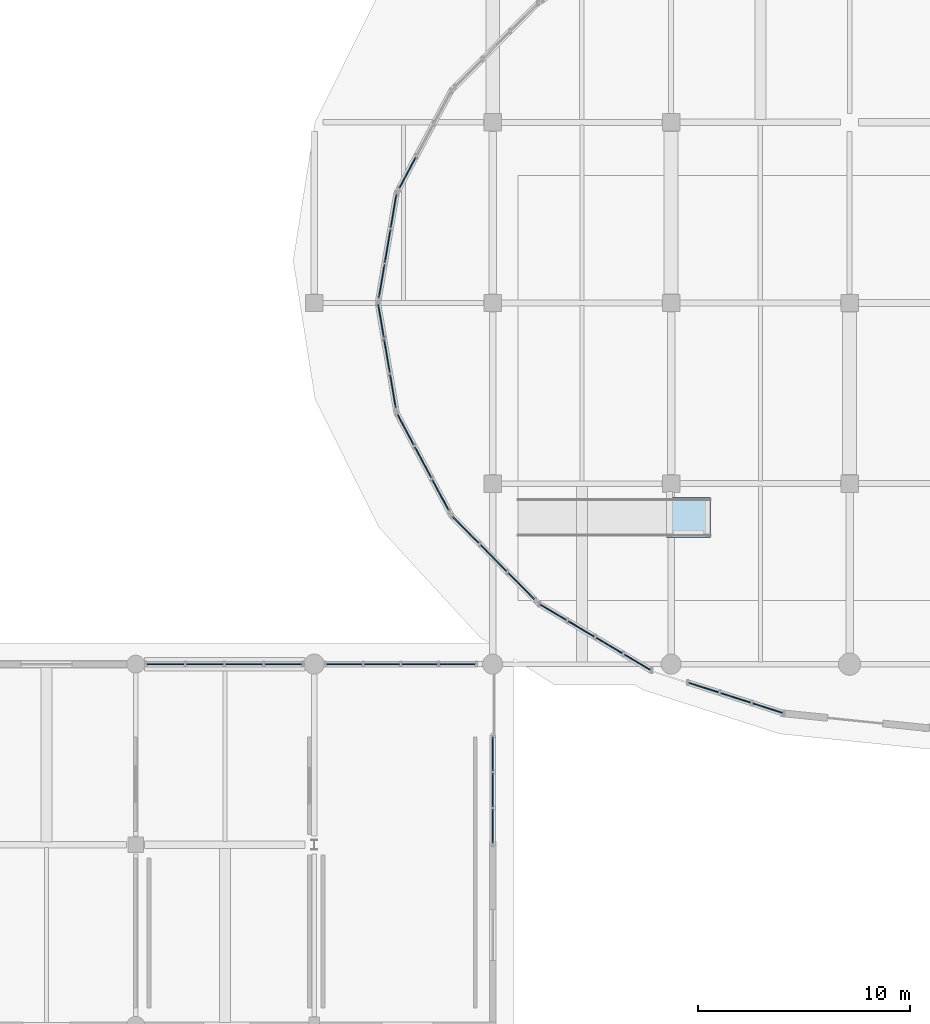
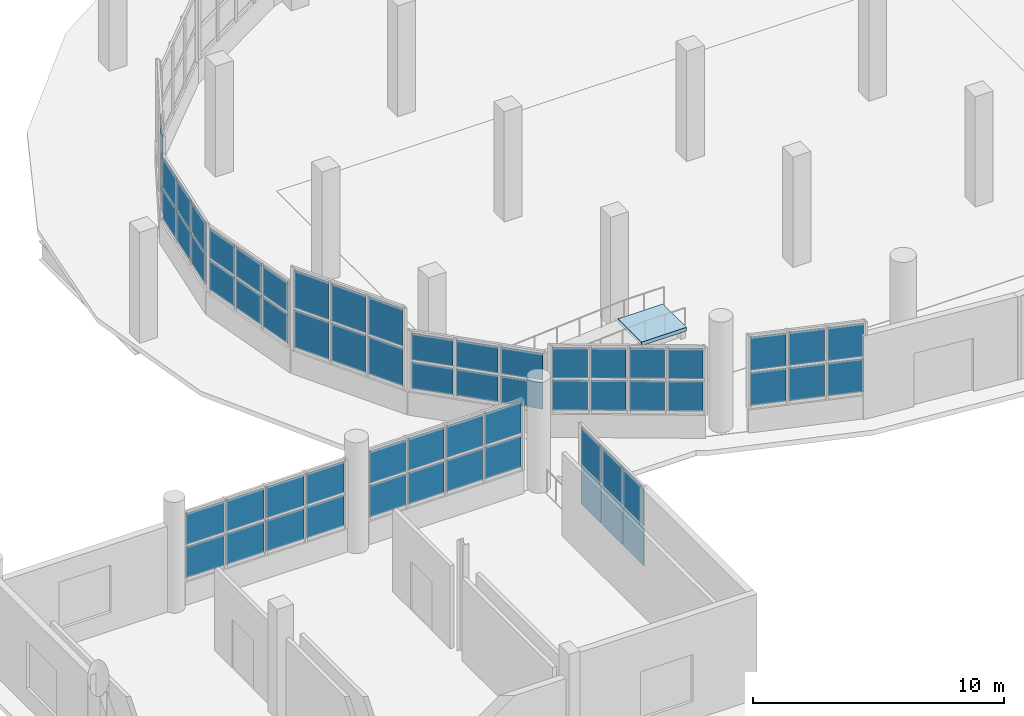
# One storey, part 73 of 107: 62 plates, 1 slab, 11 elements without a shape of their own.
"""IFC4 building model written with IfcOpenShell, lengths in metres."""

import ifcopenshell
import ifcopenshell.guid

model = None  # the IFC model being written
_history = None  # IfcOwnerHistory: only IFC2X3 demands one
_inside = {}  # id of a spatial element -> (the spatial element, [elements in it])
_under = {}  # id of a project, library or spatial element -> (it, [spatial elements below it])
_declared = {}  # id of a project -> (the project, [libraries it declares])
_typed = {}  # id of a type object -> (the type object, [elements of that type])
_made_of = {}  # id of a material, layer set ... -> (it, [elements and type objects made of it])


def new_model(schema):
    """Start an empty IFC model of exactly this schema.

    Asked for "IFC4X3", IfcOpenShell would pick the latest addendum, in which some entities
    have other attributes; the version numbers below select the first issue.
    IFC2X3 requires an IfcOwnerHistory on every rooted entity: one is made here for all.
    """
    global model, _history
    if schema == "IFC4X3":
        model = ifcopenshell.file(schema_version=(4, 3, 0, 0))
    else:
        model = ifcopenshell.file(schema=schema)
    _inside.clear()
    _under.clear()
    _declared.clear()
    _typed.clear()
    _made_of.clear()
    _history = None
    if model.schema == "IFC2X3":
        org = make("IfcOrganization", Name="unknown")
        user = make(
            "IfcPersonAndOrganization",
            ThePerson=make("IfcPerson", FamilyName="unknown"),
            TheOrganization=org,
        )
        app = make(
            "IfcApplication",
            ApplicationDeveloper=org,
            Version="unknown",
            ApplicationFullName="unknown",
            ApplicationIdentifier="unknown",
        )
        _history = make(
            "IfcOwnerHistory",
            OwningUser=user,
            OwningApplication=app,
            ChangeAction="ADDED",
            CreationDate=0,
        )
    return model


def make(cls, **values):
    """One entity of the class cls with the attributes given. An attribute that is None is left unset."""
    return model.create_entity(
        cls, **{name: value for name, value in values.items() if value is not None}
    )


def rooted(cls, **values):
    """An entity with a GlobalId (a new one), such as an element, a storey or a relation."""
    return make(cls, GlobalId=ifcopenshell.guid.new(), OwnerHistory=_history, **values)


def si_unit(unit_type, name, prefix=None):
    """IfcSIUnit, for example si_unit("LENGTHUNIT", "METRE", prefix="MILLI")."""
    return make("IfcSIUnit", UnitType=unit_type, Prefix=prefix, Name=name)


def assignment(units):
    """IfcUnitAssignment: the units of a project."""
    return None if units is None else make("IfcUnitAssignment", Units=units)


def point(xyz):
    """IfcCartesianPoint."""
    return None if xyz is None else make("IfcCartesianPoint", Coordinates=xyz)


def direction(xyz):
    """IfcDirection."""
    return None if xyz is None else make("IfcDirection", DirectionRatios=xyz)


def frame(location, z_axis=None, x_axis=None):
    """IfcAxis2Placement3D, a coordinate frame: its origin and axes. An axis left out is left unset."""
    return make(
        "IfcAxis2Placement3D",
        Location=point(location),
        Axis=direction(z_axis),
        RefDirection=direction(x_axis),
    )


def frame_2d(location, x_axis=None):
    """IfcAxis2Placement2D, a coordinate frame in the plane: its origin and x axis."""
    return make(
        "IfcAxis2Placement2D", Location=point(location), RefDirection=direction(x_axis)
    )


def origin():
    """The frame at (0, 0, 0) with its axes left unset."""
    return frame((0.0, 0.0, 0.0))


def origin_2d():
    """The frame at (0, 0) in the plane with its x axis left unset."""
    return frame_2d((0.0, 0.0))


def place(relative_to, where):
    """IfcLocalPlacement: puts the frame where relative to a parent placement (None: the world)."""
    return make(
        "IfcLocalPlacement", PlacementRelTo=relative_to, RelativePlacement=where
    )


def context(
    kind, dimensions, precision=None, world=None, true_north=None, identifier=None
):
    """IfcGeometricRepresentationContext, for example the 3D "Model" context."""
    return make(
        "IfcGeometricRepresentationContext",
        ContextIdentifier=identifier,
        ContextType=kind,
        CoordinateSpaceDimension=dimensions,
        Precision=precision,
        WorldCoordinateSystem=world,
        TrueNorth=true_north,
    )


def subcontext(parent, identifier, kind, view, scale=None):
    """IfcGeometricRepresentationSubContext, for example "Body" below "Model"."""
    return make(
        "IfcGeometricRepresentationSubContext",
        ContextIdentifier=identifier,
        ContextType=kind,
        ParentContext=parent,
        TargetScale=scale,
        TargetView=view,
    )


def project(units=None, contexts=None):
    """IfcProject with its units and contexts."""
    return rooted(
        "IfcProject",
        Name="project",
        RepresentationContexts=contexts,
        UnitsInContext=assignment(units),
    )


def spatial(cls, under=None, at=None, **own):
    """A site, building, storey or space (cls), placed at a placement, below another one or the project."""
    s = rooted(cls, ObjectPlacement=at, **own)
    if under is not None:
        _under.setdefault(under.id(), (under, []))[1].append(s)
    return s


def polyline(points):
    """IfcPolyline through the points."""
    return make("IfcPolyline", Points=[point(p) for p in points])


def profile(cls, at=None, kind="AREA", **sizes):
    """A parametric profile (cls). Its sizes go by their IFC names, for example OverallWidth=200.0."""
    return make(cls, ProfileType=kind, Position=at, **sizes)


def rectangle(**sizes):
    """IfcRectangleProfileDef."""
    return profile("IfcRectangleProfileDef", **sizes)


def outline(outer, holes=None, kind="AREA"):
    """IfcArbitraryClosedProfileDef: a profile drawn as a closed curve; with holes, ...WithVoids."""
    if holes is None:
        return make("IfcArbitraryClosedProfileDef", ProfileType=kind, OuterCurve=outer)
    return make(
        "IfcArbitraryProfileDefWithVoids",
        ProfileType=kind,
        OuterCurve=outer,
        InnerCurves=holes,
    )


def extrude(swept, where, along, depth):
    """IfcExtrudedAreaSolid: the profile swept, set in the frame where, extruded along a direction by depth."""
    return make(
        "IfcExtrudedAreaSolid",
        SweptArea=swept,
        Position=where,
        ExtrudedDirection=direction(along),
        Depth=depth,
    )


def shape(context_of_items, identifier, shape_type, items):
    """IfcShapeRepresentation: the items that make up one representation, for example the "Body"."""
    return make(
        "IfcShapeRepresentation",
        ContextOfItems=context_of_items,
        RepresentationIdentifier=identifier,
        RepresentationType=shape_type,
        Items=items,
    )


def material(Name=None, Category=None):
    """IfcMaterial."""
    return make("IfcMaterial", Name=Name, Category=Category)


def layer(
    of_material, thickness, ventilated=None, Name=None, Category=None, Priority=None
):
    """IfcMaterialLayer: one layer of a wall or slab, of a material (None: an air gap)."""
    return make(
        "IfcMaterialLayer",
        Material=of_material,
        LayerThickness=thickness,
        IsVentilated=ventilated,
        Name=Name,
        Category=Category,
        Priority=Priority,
    )


def layer_set(layers, Name=None):
    """IfcMaterialLayerSet."""
    return make("IfcMaterialLayerSet", MaterialLayers=layers, LayerSetName=Name)


def made_of(thing, what):
    """Note that an element or type object is made of a material, layer set ...; save() writes the relation."""
    if what is not None:
        _made_of.setdefault(what.id(), (what, []))[1].append(thing)
    return thing


def type_object(cls, material=None, **own):
    """A type object (cls), such as IfcWallType, which elements share."""
    return made_of(rooted(cls, **own), material)


def element(
    cls,
    number,
    at=None,
    inside=None,
    cuts=None,
    type_object=None,
    material=None,
    context=None,
    identifier="Body",
    shape_type=None,
    held_by="IfcProductDefinitionShape",
    body=None,
    shapes=None,
    **own,
):
    """One element of the class cls, such as IfcWall. Its Tag is "e" and its number.

    at: its placement. inside: the storey or other place that contains it. cuts: it is an
    opening in that element (IfcRelVoidsElement). A single representation is given by context,
    identifier, shape_type and body (its items); several are given by shapes. held_by: the class
    of the entity that holds the representations. save() writes the other relations.
    """
    e = rooted(cls, Tag="e%d" % number, ObjectPlacement=at, **own)
    if body is not None:
        shapes = [shape(context, identifier, shape_type, body)]
    if shapes is not None:
        e.Representation = make(held_by, Representations=shapes)
    if inside is not None:
        _inside.setdefault(inside.id(), (inside, []))[1].append(e)
    if cuts is not None:
        rooted(
            "IfcRelVoidsElement", RelatingBuildingElement=cuts, RelatedOpeningElement=e
        )
    if type_object is not None:
        _typed.setdefault(type_object.id(), (type_object, []))[1].append(e)
    return made_of(e, material)


def aggregate(whole, parts):
    """IfcRelAggregates: a whole, such as a stair, and the parts it consists of."""
    return rooted("IfcRelAggregates", RelatingObject=whole, RelatedObjects=parts)


def save(model, path):
    """Write the relations noted so far, then the file.

    IfcRelAggregates (storeys below a building ...), IfcRelContainedInSpatialStructure (elements
    in a storey), IfcRelDefinesByType, IfcRelAssociatesMaterial and IfcRelDeclares: one each for
    every whole, place, type object, material and project.
    """
    for whole, parts in _under.values():
        aggregate(whole, parts)
    for where, things in _inside.values():
        rooted(
            "IfcRelContainedInSpatialStructure",
            RelatedElements=things,
            RelatingStructure=where,
        )
    for kind, things in _typed.values():
        rooted("IfcRelDefinesByType", RelatedObjects=things, RelatingType=kind)
    for what, things in _made_of.values():
        rooted("IfcRelAssociatesMaterial", RelatedObjects=things, RelatingMaterial=what)
    for by, libraries in _declared.values():
        rooted("IfcRelDeclares", RelatingContext=by, RelatedDefinitions=libraries)
    model.write(path)


model = new_model("IFC4")

# Units and contexts
model_context = context("Model", 3, precision=1e-05, world=origin(), true_north=direction((0.0, 1.0)))
body_context = subcontext(model_context, "Body", "Model", "MODEL_VIEW")
ifc_project = project(units=[si_unit("LENGTHUNIT", "METRE"), si_unit("AREAUNIT", "SQUARE_METRE"), si_unit("VOLUMEUNIT", "CUBIC_METRE"), si_unit("PLANEANGLEUNIT", "RADIAN"), si_unit("MASSUNIT", "GRAM", prefix="KILO")], contexts=[model_context])

# Site, building, storey
site_placement = place(None, origin())
site = spatial("IfcSite", under=ifc_project, at=site_placement, CompositionType="ELEMENT")
building_placement = place(site_placement, origin())
building = spatial("IfcBuilding", under=site, at=building_placement, Name="Solvento Point Concert Hall", CompositionType="ELEMENT")
storey_placement = place(building_placement, origin())
storey = spatial("IfcBuildingStorey", under=building, at=storey_placement, Name="L00", CompositionType="ELEMENT", Elevation=0.0)

# Curtain wall, plates
ifc_material_1 = material(Name="Anodized Bronze Aluminium", Category="aluminium")
curtain_wall_type = type_object("IfcCurtainWallType", Name="CurtainWall_FoyerL00", PredefinedType="USERDEFINED", material=ifc_material_1)
curtain_wall_1_placement = place(storey_placement, origin())
curtain_wall_1 = element("IfcCurtainWall", 1, at=curtain_wall_1_placement, inside=storey, type_object=curtain_wall_type, Name="Unitised curtain wall CW-29 UCW-L00-001", ObjectType="UNITISED CURTAIN WALL", PredefinedType="USERDEFINED")
ifc_material_2 = material(Name="Hurricane Laminated Low-E Glass", Category="glass")
plate_type = type_object("IfcPlateType", Name="CurtainPanel_FoyerL00", PredefinedType="CURTAIN_PANEL", material=ifc_material_2)
plate_1_placement = place(storey_placement, frame((53.740478515625, 14.9326171875, 1.239990234375), z_axis=(0.0, 0.0, 1.0), x_axis=(-0.952121922912, 0.305718569782, 0.0)))
plate_1 = element("IfcPlate", 2, at=plate_1_placement, type_object=plate_type, Name="Glazed curtain panel GL-01", PredefinedType="CURTAIN_PANEL", context=body_context, shape_type="SweptSolid", body=[
    extrude(rectangle(XDim=1.462646484375, YDim=0.052001953125, at=origin_2d()), origin(), (0.0, 0.0, 1.0), 1.60888671875),
])
plate_2_placement = place(storey_placement, frame((53.740478515625, 14.9326171875, 2.96875), z_axis=(0.0, 0.0, 1.0), x_axis=(-0.952121922912, 0.305718569782, 0.0)))
plate_2 = element("IfcPlate", 3, at=plate_2_placement, type_object=plate_type, Name="Glazed curtain panel GL-01", PredefinedType="CURTAIN_PANEL", context=body_context, shape_type="SweptSolid", body=[
    extrude(rectangle(XDim=1.462646484375, YDim=0.052001953125, at=origin_2d()), origin(), (0.0, 0.0, 1.0), 1.60888671875),
])
plate_3_placement = place(storey_placement, frame((52.23388671875, 15.41650390625, 1.239990234375), z_axis=(0.0, 0.0, 1.0), x_axis=(-0.952121922912, 0.305718569782, 0.0)))
plate_3 = element("IfcPlate", 4, at=plate_3_placement, type_object=plate_type, Name="Glazed curtain panel GL-01", PredefinedType="CURTAIN_PANEL", context=body_context, shape_type="SweptSolid", body=[
    extrude(rectangle(XDim=1.462646484375, YDim=0.052001953125, at=origin_2d()), origin(), (0.0, 0.0, 1.0), 1.60888671875),
])
plate_4_placement = place(storey_placement, frame((52.23388671875, 15.41650390625, 2.96875), z_axis=(0.0, 0.0, 1.0), x_axis=(-0.952121922912, 0.305718569782, 0.0)))
plate_4 = element("IfcPlate", 5, at=plate_4_placement, type_object=plate_type, Name="Glazed curtain panel GL-01", PredefinedType="CURTAIN_PANEL", context=body_context, shape_type="SweptSolid", body=[
    extrude(rectangle(XDim=1.462646484375, YDim=0.052001953125, at=origin_2d()), origin(), (0.0, 0.0, 1.0), 1.60888671875),
])
plate_5_placement = place(storey_placement, frame((50.72705078125, 15.900146484375, 1.239990234375), z_axis=(0.0, 0.0, 1.0), x_axis=(-0.952121922912, 0.305718569782, 0.0)))
plate_5 = element("IfcPlate", 6, at=plate_5_placement, type_object=plate_type, Name="Glazed curtain panel GL-01", PredefinedType="CURTAIN_PANEL", context=body_context, shape_type="SweptSolid", body=[
    extrude(rectangle(XDim=1.462646484375, YDim=0.052001953125, at=origin_2d()), origin(), (0.0, 0.0, 1.0), 1.60888671875),
])
plate_6_placement = place(storey_placement, frame((50.72705078125, 15.900146484375, 2.96875), z_axis=(0.0, 0.0, 1.0), x_axis=(-0.952121922912, 0.305718569782, 0.0)))
plate_6 = element("IfcPlate", 7, at=plate_6_placement, type_object=plate_type, Name="Glazed curtain panel GL-01", PredefinedType="CURTAIN_PANEL", context=body_context, shape_type="SweptSolid", body=[
    extrude(rectangle(XDim=1.462646484375, YDim=0.052001953125, at=origin_2d()), origin(), (0.0, 0.0, 1.0), 1.60888671875),
])
aggregate(curtain_wall_1, [plate_1, plate_2, plate_3, plate_4, plate_5, plate_6])

curtain_wall_2_placement = place(storey_placement, origin())
curtain_wall_2 = element("IfcCurtainWall", 8, at=curtain_wall_2_placement, inside=storey, type_object=curtain_wall_type, Name="Unitised curtain wall CW-29 UCW-L00-002", ObjectType="UNITISED CURTAIN WALL", PredefinedType="USERDEFINED")
plate_7_placement = place(storey_placement, frame((47.61279296875, 17.08837890625, 1.240234375), z_axis=(0.0, 0.0, 1.0), x_axis=(-0.859448350225, 0.511222586841, 0.0)))
plate_7 = element("IfcPlate", 9, at=plate_7_placement, type_object=plate_type, Name="Glazed curtain panel GL-01", PredefinedType="CURTAIN_PANEL", context=body_context, shape_type="SweptSolid", body=[
    extrude(rectangle(XDim=1.419189453125, YDim=0.052001953125, at=origin_2d()), origin(), (0.0, 0.0, 1.0), 1.465576171875),
])
plate_8_placement = place(storey_placement, frame((47.61279296875, 17.08837890625, 2.8251953125), z_axis=(0.0, 0.0, 1.0), x_axis=(-0.859448350225, 0.511222586841, 0.0)))
plate_8 = element("IfcPlate", 10, at=plate_8_placement, type_object=plate_type, Name="Glazed curtain panel GL-01", PredefinedType="CURTAIN_PANEL", context=body_context, shape_type="SweptSolid", body=[
    extrude(rectangle(XDim=1.419189453125, YDim=0.052001953125, at=origin_2d()), origin(), (0.0, 0.0, 1.0), 1.465576171875),
])
plate_9_placement = place(storey_placement, frame((46.289794921875, 17.875244140625, 1.240234375), z_axis=(0.0, 0.0, 1.0), x_axis=(-0.859448350225, 0.511222586841, 0.0)))
plate_9 = element("IfcPlate", 11, at=plate_9_placement, type_object=plate_type, Name="Glazed curtain panel GL-01", PredefinedType="CURTAIN_PANEL", context=body_context, shape_type="SweptSolid", body=[
    extrude(rectangle(XDim=1.419189453125, YDim=0.052001953125, at=origin_2d()), origin(), (0.0, 0.0, 1.0), 1.465576171875),
])
plate_10_placement = place(storey_placement, frame((46.289794921875, 17.875244140625, 2.8251953125), z_axis=(0.0, 0.0, 1.0), x_axis=(-0.859448350225, 0.511222586841, 0.0)))
plate_10 = element("IfcPlate", 12, at=plate_10_placement, type_object=plate_type, Name="Glazed curtain panel GL-01", PredefinedType="CURTAIN_PANEL", context=body_context, shape_type="SweptSolid", body=[
    extrude(rectangle(XDim=1.419189453125, YDim=0.052001953125, at=origin_2d()), origin(), (0.0, 0.0, 1.0), 1.465576171875),
])
plate_11_placement = place(storey_placement, frame((44.966796875, 18.662109375, 1.240234375), z_axis=(0.0, 0.0, 1.0), x_axis=(-0.859448350225, 0.511222586841, 0.0)))
plate_11 = element("IfcPlate", 13, at=plate_11_placement, type_object=plate_type, Name="Glazed curtain panel GL-01", PredefinedType="CURTAIN_PANEL", context=body_context, shape_type="SweptSolid", body=[
    extrude(rectangle(XDim=1.419189453125, YDim=0.052001953125, at=origin_2d()), origin(), (0.0, 0.0, 1.0), 1.465576171875),
])
plate_12_placement = place(storey_placement, frame((44.966796875, 18.662109375, 2.8251953125), z_axis=(0.0, 0.0, 1.0), x_axis=(-0.859448350225, 0.511222586841, 0.0)))
plate_12 = element("IfcPlate", 14, at=plate_12_placement, type_object=plate_type, Name="Glazed curtain panel GL-01", PredefinedType="CURTAIN_PANEL", context=body_context, shape_type="SweptSolid", body=[
    extrude(rectangle(XDim=1.419189453125, YDim=0.052001953125, at=origin_2d()), origin(), (0.0, 0.0, 1.0), 1.465576171875),
])
plate_13_placement = place(storey_placement, frame((43.643798828125, 19.44921875, 1.240234375), z_axis=(0.0, 0.0, 1.0), x_axis=(-0.859448350225, 0.511222586841, 0.0)))
plate_13 = element("IfcPlate", 15, at=plate_13_placement, type_object=plate_type, Name="Glazed curtain panel GL-01", PredefinedType="CURTAIN_PANEL", context=body_context, shape_type="SweptSolid", body=[
    extrude(rectangle(XDim=1.419189453125, YDim=0.052001953125, at=origin_2d()), origin(), (0.0, 0.0, 1.0), 1.465576171875),
])
plate_14_placement = place(storey_placement, frame((43.643798828125, 19.44921875, 2.8251953125), z_axis=(0.0, 0.0, 1.0), x_axis=(-0.859448350225, 0.511222586841, 0.0)))
plate_14 = element("IfcPlate", 16, at=plate_14_placement, type_object=plate_type, Name="Glazed curtain panel GL-01", PredefinedType="CURTAIN_PANEL", context=body_context, shape_type="SweptSolid", body=[
    extrude(rectangle(XDim=1.419189453125, YDim=0.052001953125, at=origin_2d()), origin(), (0.0, 0.0, 1.0), 1.465576171875),
])
aggregate(curtain_wall_2, [plate_7, plate_8, plate_9, plate_10, plate_11, plate_12, plate_13, plate_14])

curtain_wall_3_placement = place(storey_placement, origin())
curtain_wall_3 = element("IfcCurtainWall", 17, at=curtain_wall_3_placement, inside=storey, type_object=curtain_wall_type, Name="Unitised curtain wall CW-29 UCW-L00-003", ObjectType="UNITISED CURTAIN WALL", PredefinedType="USERDEFINED")
plate_15_placement = place(storey_placement, frame((42.147705078125, 20.675048828125, 1.239990234375), z_axis=(0.0, 0.0, 1.0), x_axis=(-0.703493942283, 0.710701254517, 0.0)))
plate_15 = element("IfcPlate", 18, at=plate_15_placement, type_object=plate_type, Name="Glazed curtain panel GL-01", PredefinedType="CURTAIN_PANEL", context=body_context, shape_type="SweptSolid", body=[
    extrude(rectangle(XDim=1.739501953125, YDim=0.052001953125, at=origin_2d()), origin(), (0.0, 0.0, 1.0), 1.291015625),
])
plate_16_placement = place(storey_placement, frame((42.147705078125, 20.675048828125, 2.65087890625), z_axis=(0.0, 0.0, 1.0), x_axis=(-0.703493942283, 0.710701254517, 0.0)))
plate_16 = element("IfcPlate", 19, at=plate_16_placement, type_object=plate_type, Name="Glazed curtain panel GL-01", PredefinedType="CURTAIN_PANEL", context=body_context, shape_type="SweptSolid", body=[
    extrude(rectangle(XDim=1.739501953125, YDim=0.052001953125, at=origin_2d()), origin(), (0.0, 0.0, 1.0), 1.291015625),
])
plate_17_placement = place(storey_placement, frame((40.839599609375, 21.99658203125, 1.239990234375), z_axis=(0.0, 0.0, 1.0), x_axis=(-0.703493942283, 0.710701254517, 0.0)))
plate_17 = element("IfcPlate", 20, at=plate_17_placement, type_object=plate_type, Name="Glazed curtain panel GL-01", PredefinedType="CURTAIN_PANEL", context=body_context, shape_type="SweptSolid", body=[
    extrude(rectangle(XDim=1.739501953125, YDim=0.052001953125, at=origin_2d()), origin(), (0.0, 0.0, 1.0), 1.291015625),
])
plate_18_placement = place(storey_placement, frame((40.839599609375, 21.99658203125, 2.65087890625), z_axis=(0.0, 0.0, 1.0), x_axis=(-0.703493942283, 0.710701254517, 0.0)))
plate_18 = element("IfcPlate", 21, at=plate_18_placement, type_object=plate_type, Name="Glazed curtain panel GL-01", PredefinedType="CURTAIN_PANEL", context=body_context, shape_type="SweptSolid", body=[
    extrude(rectangle(XDim=1.739501953125, YDim=0.052001953125, at=origin_2d()), origin(), (0.0, 0.0, 1.0), 1.291015625),
])
plate_19_placement = place(storey_placement, frame((39.531494140625, 23.31787109375, 1.239990234375), z_axis=(0.0, 0.0, 1.0), x_axis=(-0.703493942283, 0.710701254517, 0.0)))
plate_19 = element("IfcPlate", 22, at=plate_19_placement, type_object=plate_type, Name="Glazed curtain panel GL-01", PredefinedType="CURTAIN_PANEL", context=body_context, shape_type="SweptSolid", body=[
    extrude(rectangle(XDim=1.739501953125, YDim=0.052001953125, at=origin_2d()), origin(), (0.0, 0.0, 1.0), 1.291015625),
])
plate_20_placement = place(storey_placement, frame((39.531494140625, 23.31787109375, 2.65087890625), z_axis=(0.0, 0.0, 1.0), x_axis=(-0.703493942283, 0.710701254517, 0.0)))
plate_20 = element("IfcPlate", 23, at=plate_20_placement, type_object=plate_type, Name="Glazed curtain panel GL-01", PredefinedType="CURTAIN_PANEL", context=body_context, shape_type="SweptSolid", body=[
    extrude(rectangle(XDim=1.739501953125, YDim=0.052001953125, at=origin_2d()), origin(), (0.0, 0.0, 1.0), 1.291015625),
])
aggregate(curtain_wall_3, [plate_15, plate_16, plate_17, plate_18, plate_19, plate_20])

curtain_wall_4_placement = place(storey_placement, origin())
curtain_wall_4 = element("IfcCurtainWall", 24, at=curtain_wall_4_placement, inside=storey, type_object=curtain_wall_type, Name="Unitised curtain wall CW-29 UCW-L00-004", ObjectType="UNITISED CURTAIN WALL", PredefinedType="USERDEFINED")
plate_21_placement = place(storey_placement, frame((38.343017578125, 24.961181640625, 1.23974609375), z_axis=(0.0, 0.0, 1.0), x_axis=(-0.471273592793, 0.881987075153, 0.0)))
plate_21 = element("IfcPlate", 25, at=plate_21_placement, type_object=plate_type, Name="Glazed curtain panel GL-01", PredefinedType="CURTAIN_PANEL", context=body_context, shape_type="SweptSolid", body=[
    extrude(rectangle(XDim=1.61962890625, YDim=0.052001953125, at=origin_2d()), origin(), (0.0, 0.0, 1.0), 1.820068359375),
])
plate_22_placement = place(storey_placement, frame((38.343017578125, 24.961181640625, 3.18017578125), z_axis=(0.0, 0.0, 1.0), x_axis=(-0.471273592793, 0.881987075153, 0.0)))
plate_22 = element("IfcPlate", 26, at=plate_22_placement, type_object=plate_type, Name="Glazed curtain panel GL-01", PredefinedType="CURTAIN_PANEL", context=body_context, shape_type="SweptSolid", body=[
    extrude(rectangle(XDim=1.61962890625, YDim=0.052001953125, at=origin_2d()), origin(), (0.0, 0.0, 1.0), 1.820068359375),
])
plate_23_placement = place(storey_placement, frame((37.52294921875, 26.49560546875, 1.23974609375), z_axis=(0.0, 0.0, 1.0), x_axis=(-0.471273592793, 0.881987075153, 0.0)))
plate_23 = element("IfcPlate", 27, at=plate_23_placement, type_object=plate_type, Name="Glazed curtain panel GL-01", PredefinedType="CURTAIN_PANEL", context=body_context, shape_type="SweptSolid", body=[
    extrude(rectangle(XDim=1.61962890625, YDim=0.052001953125, at=origin_2d()), origin(), (0.0, 0.0, 1.0), 1.820068359375),
])
plate_24_placement = place(storey_placement, frame((37.52294921875, 26.49560546875, 3.18017578125), z_axis=(0.0, 0.0, 1.0), x_axis=(-0.471273592793, 0.881987075153, 0.0)))
plate_24 = element("IfcPlate", 28, at=plate_24_placement, type_object=plate_type, Name="Glazed curtain panel GL-01", PredefinedType="CURTAIN_PANEL", context=body_context, shape_type="SweptSolid", body=[
    extrude(rectangle(XDim=1.61962890625, YDim=0.052001953125, at=origin_2d()), origin(), (0.0, 0.0, 1.0), 1.820068359375),
])
plate_25_placement = place(storey_placement, frame((36.703125, 28.030029296875, 1.23974609375), z_axis=(0.0, 0.0, 1.0), x_axis=(-0.471273592793, 0.881987075153, 0.0)))
plate_25 = element("IfcPlate", 29, at=plate_25_placement, type_object=plate_type, Name="Glazed curtain panel GL-01", PredefinedType="CURTAIN_PANEL", context=body_context, shape_type="SweptSolid", body=[
    extrude(rectangle(XDim=1.61962890625, YDim=0.052001953125, at=origin_2d()), origin(), (0.0, 0.0, 1.0), 1.820068359375),
])
plate_26_placement = place(storey_placement, frame((36.703125, 28.030029296875, 3.18017578125), z_axis=(0.0, 0.0, 1.0), x_axis=(-0.471273592793, 0.881987075153, 0.0)))
plate_26 = element("IfcPlate", 30, at=plate_26_placement, type_object=plate_type, Name="Glazed curtain panel GL-01", PredefinedType="CURTAIN_PANEL", context=body_context, shape_type="SweptSolid", body=[
    extrude(rectangle(XDim=1.61962890625, YDim=0.052001953125, at=origin_2d()), origin(), (0.0, 0.0, 1.0), 1.820068359375),
])
aggregate(curtain_wall_4, [plate_21, plate_22, plate_23, plate_24, plate_25, plate_26])

curtain_wall_5_placement = place(storey_placement, origin())
curtain_wall_5 = element("IfcCurtainWall", 31, at=curtain_wall_5_placement, inside=storey, type_object=curtain_wall_type, Name="Unitised curtain wall CW-29 UCW-L00-005", ObjectType="UNITISED CURTAIN WALL", PredefinedType="USERDEFINED")
plate_27_placement = place(storey_placement, frame((36.102783203125, 29.862060546875, 1.240234375), z_axis=(0.0, 0.0, 1.0), x_axis=(-0.167431250791, 0.985883753928, 0.0)))
plate_27 = element("IfcPlate", 32, at=plate_27_placement, type_object=plate_type, Name="Glazed curtain panel GL-01", PredefinedType="CURTAIN_PANEL", context=body_context, shape_type="SweptSolid", body=[
    extrude(rectangle(XDim=1.546875, YDim=0.052001953125, at=origin_2d()), origin(), (0.0, 0.0, 1.0), 1.427001953125),
])
plate_28_placement = place(storey_placement, frame((36.102783203125, 29.862060546875, 2.787109375), z_axis=(0.0, 0.0, 1.0), x_axis=(-0.167431250791, 0.985883753928, 0.0)))
plate_28 = element("IfcPlate", 33, at=plate_28_placement, type_object=plate_type, Name="Glazed curtain panel GL-01", PredefinedType="CURTAIN_PANEL", context=body_context, shape_type="SweptSolid", body=[
    extrude(rectangle(XDim=1.546875, YDim=0.052001953125, at=origin_2d()), origin(), (0.0, 0.0, 1.0), 1.427001953125),
])
plate_29_placement = place(storey_placement, frame((35.823486328125, 31.505615234375, 1.240234375), z_axis=(0.0, 0.0, 1.0), x_axis=(-0.167431250791, 0.985883753928, 0.0)))
plate_29 = element("IfcPlate", 34, at=plate_29_placement, type_object=plate_type, Name="Glazed curtain panel GL-01", PredefinedType="CURTAIN_PANEL", context=body_context, shape_type="SweptSolid", body=[
    extrude(rectangle(XDim=1.546875, YDim=0.052001953125, at=origin_2d()), origin(), (0.0, 0.0, 1.0), 1.427001953125),
])
plate_30_placement = place(storey_placement, frame((35.823486328125, 31.505615234375, 2.787109375), z_axis=(0.0, 0.0, 1.0), x_axis=(-0.167431250791, 0.985883753928, 0.0)))
plate_30 = element("IfcPlate", 35, at=plate_30_placement, type_object=plate_type, Name="Glazed curtain panel GL-01", PredefinedType="CURTAIN_PANEL", context=body_context, shape_type="SweptSolid", body=[
    extrude(rectangle(XDim=1.546875, YDim=0.052001953125, at=origin_2d()), origin(), (0.0, 0.0, 1.0), 1.427001953125),
])
plate_31_placement = place(storey_placement, frame((35.544677734375, 33.148681640625, 1.240234375), z_axis=(0.0, 0.0, 1.0), x_axis=(-0.167431250791, 0.985883753928, 0.0)))
plate_31 = element("IfcPlate", 36, at=plate_31_placement, type_object=plate_type, Name="Glazed curtain panel GL-01", PredefinedType="CURTAIN_PANEL", context=body_context, shape_type="SweptSolid", body=[
    extrude(rectangle(XDim=1.546875, YDim=0.052001953125, at=origin_2d()), origin(), (0.0, 0.0, 1.0), 1.427001953125),
])
plate_32_placement = place(storey_placement, frame((35.544677734375, 33.148681640625, 2.787109375), z_axis=(0.0, 0.0, 1.0), x_axis=(-0.167431250791, 0.985883753928, 0.0)))
plate_32 = element("IfcPlate", 37, at=plate_32_placement, type_object=plate_type, Name="Glazed curtain panel GL-01", PredefinedType="CURTAIN_PANEL", context=body_context, shape_type="SweptSolid", body=[
    extrude(rectangle(XDim=1.546875, YDim=0.052001953125, at=origin_2d()), origin(), (0.0, 0.0, 1.0), 1.427001953125),
])
aggregate(curtain_wall_5, [plate_27, plate_28, plate_29, plate_30, plate_31, plate_32])

curtain_wall_6_placement = place(storey_placement, origin())
curtain_wall_6 = element("IfcCurtainWall", 38, at=curtain_wall_6_placement, inside=storey, type_object=curtain_wall_type, Name="Unitised curtain wall CW-29 UCW-L00-006", ObjectType="UNITISED CURTAIN WALL", PredefinedType="USERDEFINED")
plate_33_placement = place(storey_placement, frame((35.576416015625, 35.03857421875, 1.240234375), z_axis=(0.0, 0.0, 1.0), x_axis=(0.167431250791, 0.985883753928, 0.0)))
plate_33 = element("IfcPlate", 39, at=plate_33_placement, type_object=plate_type, Name="Glazed curtain panel GL-01", PredefinedType="CURTAIN_PANEL", context=body_context, shape_type="SweptSolid", body=[
    extrude(rectangle(XDim=1.546875, YDim=0.052001953125, at=origin_2d()), origin(), (0.0, 0.0, 1.0), 1.427001953125),
])
plate_34_placement = place(storey_placement, frame((35.576416015625, 35.03857421875, 2.787109375), z_axis=(0.0, 0.0, 1.0), x_axis=(0.167431250791, 0.985883753928, 0.0)))
plate_34 = element("IfcPlate", 40, at=plate_34_placement, type_object=plate_type, Name="Glazed curtain panel GL-01", PredefinedType="CURTAIN_PANEL", context=body_context, shape_type="SweptSolid", body=[
    extrude(rectangle(XDim=1.546875, YDim=0.052001953125, at=origin_2d()), origin(), (0.0, 0.0, 1.0), 1.427001953125),
])
plate_35_placement = place(storey_placement, frame((35.85546875, 36.681884765625, 1.240234375), z_axis=(0.0, 0.0, 1.0), x_axis=(0.167431250791, 0.985883753928, 0.0)))
plate_35 = element("IfcPlate", 41, at=plate_35_placement, type_object=plate_type, Name="Glazed curtain panel GL-01", PredefinedType="CURTAIN_PANEL", context=body_context, shape_type="SweptSolid", body=[
    extrude(rectangle(XDim=1.546875, YDim=0.052001953125, at=origin_2d()), origin(), (0.0, 0.0, 1.0), 1.427001953125),
])
plate_36_placement = place(storey_placement, frame((35.85546875, 36.681884765625, 2.787109375), z_axis=(0.0, 0.0, 1.0), x_axis=(0.167431250791, 0.985883753928, 0.0)))
plate_36 = element("IfcPlate", 42, at=plate_36_placement, type_object=plate_type, Name="Glazed curtain panel GL-01", PredefinedType="CURTAIN_PANEL", context=body_context, shape_type="SweptSolid", body=[
    extrude(rectangle(XDim=1.546875, YDim=0.052001953125, at=origin_2d()), origin(), (0.0, 0.0, 1.0), 1.427001953125),
])
plate_37_placement = place(storey_placement, frame((36.134521484375, 38.3251953125, 1.240234375), z_axis=(0.0, 0.0, 1.0), x_axis=(0.167431250791, 0.985883753928, 0.0)))
plate_37 = element("IfcPlate", 43, at=plate_37_placement, type_object=plate_type, Name="Glazed curtain panel GL-01", PredefinedType="CURTAIN_PANEL", context=body_context, shape_type="SweptSolid", body=[
    extrude(rectangle(XDim=1.546875, YDim=0.052001953125, at=origin_2d()), origin(), (0.0, 0.0, 1.0), 1.427001953125),
])
plate_38_placement = place(storey_placement, frame((36.134521484375, 38.3251953125, 2.787109375), z_axis=(0.0, 0.0, 1.0), x_axis=(0.167431250791, 0.985883753928, 0.0)))
plate_38 = element("IfcPlate", 44, at=plate_38_placement, type_object=plate_type, Name="Glazed curtain panel GL-01", PredefinedType="CURTAIN_PANEL", context=body_context, shape_type="SweptSolid", body=[
    extrude(rectangle(XDim=1.546875, YDim=0.052001953125, at=origin_2d()), origin(), (0.0, 0.0, 1.0), 1.427001953125),
])
aggregate(curtain_wall_6, [plate_33, plate_34, plate_35, plate_36, plate_37, plate_38])

curtain_wall_7_placement = place(storey_placement, origin())
curtain_wall_7 = element("IfcCurtainWall", 45, at=curtain_wall_7_placement, inside=storey, type_object=curtain_wall_type, Name="Unitised curtain wall CW-29 UCW-L00-007", ObjectType="UNITISED CURTAIN WALL", PredefinedType="USERDEFINED")
plate_39_placement = place(storey_placement, frame((36.792724609375, 40.1376953125, 1.23974609375), z_axis=(0.0, 0.0, 1.0), x_axis=(0.471273592793, 0.881987075153, 0.0)))
plate_39 = element("IfcPlate", 46, at=plate_39_placement, type_object=plate_type, Name="Glazed curtain panel GL-01", PredefinedType="CURTAIN_PANEL", context=body_context, shape_type="SweptSolid", body=[
    extrude(rectangle(XDim=1.61962890625, YDim=0.052001953125, at=origin_2d()), origin(), (0.0, 0.0, 1.0), 1.820068359375),
])
plate_40_placement = place(storey_placement, frame((36.792724609375, 40.1376953125, 3.18017578125), z_axis=(0.0, 0.0, 1.0), x_axis=(0.471273592793, 0.881987075153, 0.0)))
plate_40 = element("IfcPlate", 47, at=plate_40_placement, type_object=plate_type, Name="Glazed curtain panel GL-01", PredefinedType="CURTAIN_PANEL", context=body_context, shape_type="SweptSolid", body=[
    extrude(rectangle(XDim=1.61962890625, YDim=0.052001953125, at=origin_2d()), origin(), (0.0, 0.0, 1.0), 1.820068359375),
])
aggregate(curtain_wall_7, [plate_39, plate_40])

curtain_wall_8_placement = place(storey_placement, origin())
curtain_wall_8 = element("IfcCurtainWall", 48, at=curtain_wall_8_placement, inside=storey, type_object=curtain_wall_type, Name="Unitised curtain wall CW-29 UCW-L00-059", ObjectType="UNITISED CURTAIN WALL", PredefinedType="USERDEFINED")
plate_41_placement = place(storey_placement, frame((25.39990234375, 17.0, 1.23974609375), z_axis=(0.0, 0.0, 1.0), x_axis=(1.0, 0.0, 0.0)))
plate_41 = element("IfcPlate", 49, at=plate_41_placement, type_object=plate_type, Name="Glazed curtain panel GL-01", PredefinedType="CURTAIN_PANEL", context=body_context, shape_type="SweptSolid", body=[
    extrude(rectangle(XDim=1.72998046875, YDim=0.052001953125, at=origin_2d()), origin(), (0.0, 0.0, 1.0), 1.508056640625),
])
plate_42_placement = place(storey_placement, frame((25.39990234375, 17.0, 2.8681640625), z_axis=(0.0, 0.0, 1.0), x_axis=(1.0, 0.0, 0.0)))
plate_42 = element("IfcPlate", 50, at=plate_42_placement, type_object=plate_type, Name="Glazed curtain panel GL-01", PredefinedType="CURTAIN_PANEL", context=body_context, shape_type="SweptSolid", body=[
    extrude(rectangle(XDim=1.72998046875, YDim=0.052001953125, at=origin_2d()), origin(), (0.0, 0.0, 1.0), 1.508056640625),
])
plate_43_placement = place(storey_placement, frame((27.25, 17.0, 1.23974609375), z_axis=(0.0, 0.0, 1.0), x_axis=(1.0, 0.0, 0.0)))
plate_43 = element("IfcPlate", 51, at=plate_43_placement, type_object=plate_type, Name="Glazed curtain panel GL-01", PredefinedType="CURTAIN_PANEL", context=body_context, shape_type="SweptSolid", body=[
    extrude(rectangle(XDim=1.72998046875, YDim=0.052001953125, at=origin_2d()), origin(), (0.0, 0.0, 1.0), 1.508056640625),
])
plate_44_placement = place(storey_placement, frame((27.25, 17.0, 2.8681640625), z_axis=(0.0, 0.0, 1.0), x_axis=(1.0, 0.0, 0.0)))
plate_44 = element("IfcPlate", 52, at=plate_44_placement, type_object=plate_type, Name="Glazed curtain panel GL-01", PredefinedType="CURTAIN_PANEL", context=body_context, shape_type="SweptSolid", body=[
    extrude(rectangle(XDim=1.72998046875, YDim=0.052001953125, at=origin_2d()), origin(), (0.0, 0.0, 1.0), 1.508056640625),
])
plate_45_placement = place(storey_placement, frame((29.10009765625, 17.0, 1.23974609375), z_axis=(0.0, 0.0, 1.0), x_axis=(1.0, 0.0, 0.0)))
plate_45 = element("IfcPlate", 53, at=plate_45_placement, type_object=plate_type, Name="Glazed curtain panel GL-01", PredefinedType="CURTAIN_PANEL", context=body_context, shape_type="SweptSolid", body=[
    extrude(rectangle(XDim=1.72998046875, YDim=0.052001953125, at=origin_2d()), origin(), (0.0, 0.0, 1.0), 1.508056640625),
])
plate_46_placement = place(storey_placement, frame((29.10009765625, 17.0, 2.8681640625), z_axis=(0.0, 0.0, 1.0), x_axis=(1.0, 0.0, 0.0)))
plate_46 = element("IfcPlate", 54, at=plate_46_placement, type_object=plate_type, Name="Glazed curtain panel GL-01", PredefinedType="CURTAIN_PANEL", context=body_context, shape_type="SweptSolid", body=[
    extrude(rectangle(XDim=1.72998046875, YDim=0.052001953125, at=origin_2d()), origin(), (0.0, 0.0, 1.0), 1.508056640625),
])
plate_47_placement = place(storey_placement, frame((30.949951171875, 17.0, 1.23974609375), z_axis=(0.0, 0.0, 1.0), x_axis=(1.0, 0.0, 0.0)))
plate_47 = element("IfcPlate", 55, at=plate_47_placement, type_object=plate_type, Name="Glazed curtain panel GL-01", PredefinedType="CURTAIN_PANEL", context=body_context, shape_type="SweptSolid", body=[
    extrude(rectangle(XDim=1.72998046875, YDim=0.052001953125, at=origin_2d()), origin(), (0.0, 0.0, 1.0), 1.508056640625),
])
plate_48_placement = place(storey_placement, frame((30.949951171875, 17.0, 2.8681640625), z_axis=(0.0, 0.0, 1.0), x_axis=(1.0, 0.0, 0.0)))
plate_48 = element("IfcPlate", 56, at=plate_48_placement, type_object=plate_type, Name="Glazed curtain panel GL-01", PredefinedType="CURTAIN_PANEL", context=body_context, shape_type="SweptSolid", body=[
    extrude(rectangle(XDim=1.72998046875, YDim=0.052001953125, at=origin_2d()), origin(), (0.0, 0.0, 1.0), 1.508056640625),
])
aggregate(curtain_wall_8, [plate_41, plate_42, plate_43, plate_44, plate_45, plate_46, plate_47, plate_48])

curtain_wall_9_placement = place(storey_placement, origin())
curtain_wall_9 = element("IfcCurtainWall", 57, at=curtain_wall_9_placement, inside=storey, type_object=curtain_wall_type, Name="Unitised curtain wall CW-29 UCW-L00-060", ObjectType="UNITISED CURTAIN WALL", PredefinedType="USERDEFINED")
plate_49_placement = place(storey_placement, frame((33.8125, 17.0, 1.239990234375), z_axis=(0.0, 0.0, 1.0), x_axis=(1.0, 0.0, 0.0)))
plate_49 = element("IfcPlate", 58, at=plate_49_placement, type_object=plate_type, Name="Glazed curtain panel GL-01", PredefinedType="CURTAIN_PANEL", context=body_context, shape_type="SweptSolid", body=[
    extrude(rectangle(XDim=1.655029296875, YDim=0.052001953125, at=origin_2d()), origin(), (0.0, 0.0, 1.0), 1.53759765625),
])
plate_50_placement = place(storey_placement, frame((33.8125, 17.0, 2.8974609375), z_axis=(0.0, 0.0, 1.0), x_axis=(1.0, 0.0, 0.0)))
plate_50 = element("IfcPlate", 59, at=plate_50_placement, type_object=plate_type, Name="Glazed curtain panel GL-01", PredefinedType="CURTAIN_PANEL", context=body_context, shape_type="SweptSolid", body=[
    extrude(rectangle(XDim=1.655029296875, YDim=0.052001953125, at=origin_2d()), origin(), (0.0, 0.0, 1.0), 1.53759765625),
])
plate_51_placement = place(storey_placement, frame((35.58740234375, 17.0, 1.239990234375), z_axis=(0.0, 0.0, 1.0), x_axis=(1.0, 0.0, 0.0)))
plate_51 = element("IfcPlate", 60, at=plate_51_placement, type_object=plate_type, Name="Glazed curtain panel GL-01", PredefinedType="CURTAIN_PANEL", context=body_context, shape_type="SweptSolid", body=[
    extrude(rectangle(XDim=1.655029296875, YDim=0.052001953125, at=origin_2d()), origin(), (0.0, 0.0, 1.0), 1.53759765625),
])
plate_52_placement = place(storey_placement, frame((35.58740234375, 17.0, 2.8974609375), z_axis=(0.0, 0.0, 1.0), x_axis=(1.0, 0.0, 0.0)))
plate_52 = element("IfcPlate", 61, at=plate_52_placement, type_object=plate_type, Name="Glazed curtain panel GL-01", PredefinedType="CURTAIN_PANEL", context=body_context, shape_type="SweptSolid", body=[
    extrude(rectangle(XDim=1.655029296875, YDim=0.052001953125, at=origin_2d()), origin(), (0.0, 0.0, 1.0), 1.53759765625),
])
plate_53_placement = place(storey_placement, frame((37.362548828125, 17.0, 1.239990234375), z_axis=(0.0, 0.0, 1.0), x_axis=(1.0, 0.0, 0.0)))
plate_53 = element("IfcPlate", 62, at=plate_53_placement, type_object=plate_type, Name="Glazed curtain panel GL-01", PredefinedType="CURTAIN_PANEL", context=body_context, shape_type="SweptSolid", body=[
    extrude(rectangle(XDim=1.655029296875, YDim=0.052001953125, at=origin_2d()), origin(), (0.0, 0.0, 1.0), 1.53759765625),
])
plate_54_placement = place(storey_placement, frame((37.362548828125, 17.0, 2.8974609375), z_axis=(0.0, 0.0, 1.0), x_axis=(1.0, 0.0, 0.0)))
plate_54 = element("IfcPlate", 63, at=plate_54_placement, type_object=plate_type, Name="Glazed curtain panel GL-01", PredefinedType="CURTAIN_PANEL", context=body_context, shape_type="SweptSolid", body=[
    extrude(rectangle(XDim=1.655029296875, YDim=0.052001953125, at=origin_2d()), origin(), (0.0, 0.0, 1.0), 1.53759765625),
])
plate_55_placement = place(storey_placement, frame((39.137451171875, 17.0, 1.239990234375), z_axis=(0.0, 0.0, 1.0), x_axis=(1.0, 0.0, 0.0)))
plate_55 = element("IfcPlate", 64, at=plate_55_placement, type_object=plate_type, Name="Glazed curtain panel GL-01", PredefinedType="CURTAIN_PANEL", context=body_context, shape_type="SweptSolid", body=[
    extrude(rectangle(XDim=1.655029296875, YDim=0.052001953125, at=origin_2d()), origin(), (0.0, 0.0, 1.0), 1.53759765625),
])
plate_56_placement = place(storey_placement, frame((39.137451171875, 17.0, 2.8974609375), z_axis=(0.0, 0.0, 1.0), x_axis=(1.0, 0.0, 0.0)))
plate_56 = element("IfcPlate", 65, at=plate_56_placement, type_object=plate_type, Name="Glazed curtain panel GL-01", PredefinedType="CURTAIN_PANEL", context=body_context, shape_type="SweptSolid", body=[
    extrude(rectangle(XDim=1.655029296875, YDim=0.052001953125, at=origin_2d()), origin(), (0.0, 0.0, 1.0), 1.53759765625),
])
aggregate(curtain_wall_9, [plate_49, plate_50, plate_51, plate_52, plate_53, plate_54, plate_55, plate_56])

curtain_wall_10_placement = place(storey_placement, origin())
curtain_wall_10 = element("IfcCurtainWall", 66, at=curtain_wall_10_placement, inside=storey, type_object=curtain_wall_type, Name="Unitised curtain wall CW-29 UCW-L00-061", ObjectType="UNITISED CURTAIN WALL", PredefinedType="USERDEFINED")
plate_57_placement = place(storey_placement, frame((40.800048828125, 9.379150390625, 1.23974609375), z_axis=(0.0, 0.0, 1.0), x_axis=(0.0, 1.0, 0.0)))
plate_57 = element("IfcPlate", 67, at=plate_57_placement, type_object=plate_type, Name="Glazed curtain panel GL-01", PredefinedType="CURTAIN_PANEL", context=body_context, shape_type="SweptSolid", body=[
    extrude(rectangle(XDim=1.578369140625, YDim=0.052001953125, at=origin_2d()), origin(), (0.0, 0.0, 1.0), 1.820068359375),
])
plate_58_placement = place(storey_placement, frame((40.800048828125, 9.379150390625, 3.18017578125), z_axis=(0.0, 0.0, 1.0), x_axis=(0.0, 1.0, 0.0)))
plate_58 = element("IfcPlate", 68, at=plate_58_placement, type_object=plate_type, Name="Glazed curtain panel GL-01", PredefinedType="CURTAIN_PANEL", context=body_context, shape_type="SweptSolid", body=[
    extrude(rectangle(XDim=1.578369140625, YDim=0.052001953125, at=origin_2d()), origin(), (0.0, 0.0, 1.0), 1.820068359375),
])
plate_59_placement = place(storey_placement, frame((40.800048828125, 11.077392578125, 1.23974609375), z_axis=(0.0, 0.0, 1.0), x_axis=(0.0, 1.0, 0.0)))
plate_59 = element("IfcPlate", 69, at=plate_59_placement, type_object=plate_type, Name="Glazed curtain panel GL-01", PredefinedType="CURTAIN_PANEL", context=body_context, shape_type="SweptSolid", body=[
    extrude(rectangle(XDim=1.578369140625, YDim=0.052001953125, at=origin_2d()), origin(), (0.0, 0.0, 1.0), 1.820068359375),
])
plate_60_placement = place(storey_placement, frame((40.800048828125, 11.077392578125, 3.18017578125), z_axis=(0.0, 0.0, 1.0), x_axis=(0.0, 1.0, 0.0)))
plate_60 = element("IfcPlate", 70, at=plate_60_placement, type_object=plate_type, Name="Glazed curtain panel GL-01", PredefinedType="CURTAIN_PANEL", context=body_context, shape_type="SweptSolid", body=[
    extrude(rectangle(XDim=1.578369140625, YDim=0.052001953125, at=origin_2d()), origin(), (0.0, 0.0, 1.0), 1.820068359375),
])
plate_61_placement = place(storey_placement, frame((40.800048828125, 12.77587890625, 1.23974609375), z_axis=(0.0, 0.0, 1.0), x_axis=(0.0, 1.0, 0.0)))
plate_61 = element("IfcPlate", 71, at=plate_61_placement, type_object=plate_type, Name="Glazed curtain panel GL-01", PredefinedType="CURTAIN_PANEL", context=body_context, shape_type="SweptSolid", body=[
    extrude(rectangle(XDim=1.578369140625, YDim=0.052001953125, at=origin_2d()), origin(), (0.0, 0.0, 1.0), 1.820068359375),
])
plate_62_placement = place(storey_placement, frame((40.800048828125, 12.77587890625, 3.18017578125), z_axis=(0.0, 0.0, 1.0), x_axis=(0.0, 1.0, 0.0)))
plate_62 = element("IfcPlate", 72, at=plate_62_placement, type_object=plate_type, Name="Glazed curtain panel GL-01", PredefinedType="CURTAIN_PANEL", context=body_context, shape_type="SweptSolid", body=[
    extrude(rectangle(XDim=1.578369140625, YDim=0.052001953125, at=origin_2d()), origin(), (0.0, 0.0, 1.0), 1.820068359375),
])
aggregate(curtain_wall_10, [plate_57, plate_58, plate_59, plate_60, plate_61, plate_62])

# Ramp, slab
ifc_material_3 = material(Name="Concrete C35/45", Category="concrete")
ramp_type = type_object("IfcRampType", Name="PedestrianADARamp", PredefinedType="STRAIGHT_RUN_RAMP", material=ifc_material_3)
ramp_placement = place(storey_placement, origin())
ramp = element("IfcRamp", 73, at=ramp_placement, inside=storey, type_object=ramp_type, Name="Accessible 1:12 pedestrian ramp RMP-F1", PredefinedType="STRAIGHT_RUN_RAMP")
ifc_material_4 = material(Name="Concrete C35/45", Category="concrete")
ifc_layer = layer(ifc_material_4, 0.179931640625)
ifc_layer_set = layer_set([ifc_layer], Name="Concrete C35/45")
slab_type = type_object("IfcSlabType", Name="StairLanding_180", PredefinedType="LANDING", material=ifc_layer_set)
slab_placement = place(storey_placement, frame((0.0, 0.0, 0.3701171875)))
slab = element("IfcSlab", 74, at=slab_placement, type_object=slab_type, Name="Accessible ramp top landing RMP-F1", PredefinedType="LANDING", context=body_context, shape_type="SweptSolid", body=[
    extrude(outline(polyline([(48.97998046875, 22.9599609375), (51.050048828125, 22.9599609375), (51.050048828125, 24.840087890625), (48.97998046875, 24.840087890625), (48.97998046875, 22.9599609375)])), origin(), (0.0, 0.0, 1.0), 0.179931640625),
])
aggregate(ramp, [slab])

save(model, "model.ifc")
